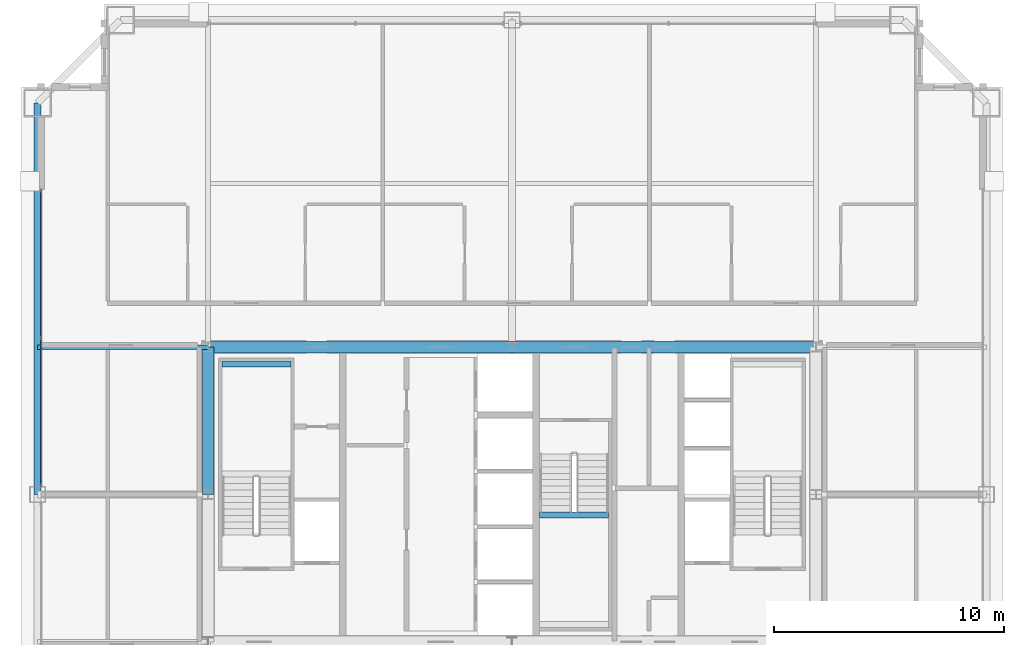
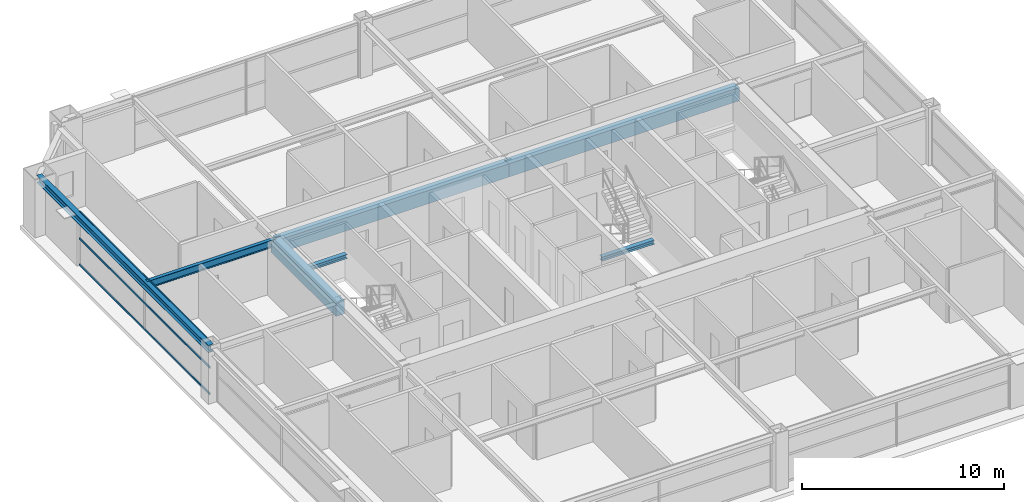
# One storey, part 14 of 36: 7 beams, 3 members, 1 element without a shape of its own.
"""IFC4 building model written with IfcOpenShell, lengths in metres."""

from ifc_helpers import new_model, si_unit, direction, frame, origin, origin_2d, place, context, subcontext, project, spatial, rectangle, hollow_rectangle, i_section, extrude, source, transform, mapped, material, layer, layer_set, material_profile, profile_set, type_object, element, aggregate, save


model = new_model("IFC4")

# Units and contexts
model_context = context("Model", 3, precision=1e-05, world=origin(), true_north=direction((0.0, 1.0)))
body_context = subcontext(model_context, "Body", "Model", "MODEL_VIEW")
ifc_project = project(units=[si_unit("LENGTHUNIT", "METRE"), si_unit("AREAUNIT", "SQUARE_METRE"), si_unit("VOLUMEUNIT", "CUBIC_METRE"), si_unit("PLANEANGLEUNIT", "RADIAN"), si_unit("MASSUNIT", "GRAM", prefix="KILO"), si_unit("THERMODYNAMICTEMPERATUREUNIT", "KELVIN"), si_unit("POWERUNIT", "WATT")], contexts=[model_context])

# Site, building, storey
site_placement = place(None, origin())
site = spatial("IfcSite", under=ifc_project, at=site_placement, CompositionType="ELEMENT")
building_placement = place(site_placement, origin())
building = spatial("IfcBuilding", under=site, at=building_placement, Name="Yuzanri Waterfront Tower", CompositionType="ELEMENT")
storey_placement = place(building_placement, frame((0.0, 0.0, 238.10009765625)))
storey = spatial("IfcBuildingStorey", under=building, at=storey_placement, Name="L63", CompositionType="ELEMENT", Elevation=238.10009765625)

# Beams
ifc_material_1 = material(Name="Concrete C50", Category="concrete")
ifc_material_profile_1 = material_profile(ifc_material_1, rectangle(XDim=0.5, YDim=0.800048828125, at=origin_2d()), Name="RC 500x800")
ifc_profile_set_1 = profile_set([ifc_material_profile_1], Name="Concrete C50")
beam_type_1 = type_object("IfcBeamType", Name="Core Coupling Lintel Concrete C50 500x800", PredefinedType="LINTEL", material=ifc_profile_set_1)
shared_shape_1 = source(origin(), body_context, "Body", "SweptSolid", [
    extrude(rectangle(XDim=0.5, YDim=0.800048828125, at=origin_2d()), origin(), (0.0, 0.0, 1.0), 13.199951171875),
])
for number, where, z_axis, x_axis, name in (
    (1, (23.800048828125, 32.199951171875, 2.8798828125), (1.0, 0.0, 0.0), (0.0, 1.0, 0.0), "L63 Core Tie Beam CN1"),
    (2, (37.0, 32.199951171875, 2.8798828125), (1.0, 0.0, 0.0), (0.0, 1.0, 0.0), "L63 Core Tie Beam CN2"),
):
    element("IfcBeam", number, at=place(storey_placement, frame(where, z_axis=z_axis, x_axis=x_axis)), inside=storey, type_object=beam_type_1, Name=name, PredefinedType="LINTEL", context=body_context, shape_type="MappedRepresentation", body=[
        mapped(shared_shape_1, transform((0.0, 0.0, 0.0), scale=1.0)),
    ])
shared_shape_2 = source(origin(), body_context, "Body", "SweptSolid", [
    extrude(rectangle(XDim=0.5, YDim=0.800048828125, at=origin_2d()), origin(), (0.0, 0.0, 1.0), 6.39990234375),
])
beam_1_placement = place(storey_placement, frame((23.800048828125, 25.800048828125, 2.8798828125), z_axis=(0.0, 1.0, 0.0), x_axis=(-1.0, 0.0, 0.0)))
element("IfcBeam", 3, at=beam_1_placement, inside=storey, type_object=beam_type_1, Name="L63 Core Tie Beam CW2", PredefinedType="LINTEL", context=body_context, shape_type="MappedRepresentation", body=[
    mapped(shared_shape_2, transform((0.0, 0.0, 0.0), scale=1.0)),
])
ifc_material_2 = material(Name="Steel Q355B", Category="steel")
ifc_material_profile_2 = material_profile(ifc_material_2, i_section(OverallWidth=0.300048828125, OverallDepth=0.43994140625, WebThickness=0.010986328125, FlangeThickness=0.01806640625, at=origin_2d()), Name="HM 440x300x11x18")
ifc_profile_set_2 = profile_set([ifc_material_profile_2], Name="Steel Q355B")
beam_type_2 = type_object("IfcBeamType", Name="Perimeter Spandrel Q355B HM 440x300", PredefinedType="SPANDREL", material=ifc_profile_set_2)
shared_shape_3 = source(origin(), body_context, "Body", "SweptSolid", [
    extrude(i_section(OverallWidth=0.300048828125, OverallDepth=0.43994140625, WebThickness=0.010986328125, FlangeThickness=0.01806640625, at=origin_2d()), origin(), (0.0, 0.0, 1.0), 17.0),
])
beam_2_placement = place(storey_placement, frame((16.39990234375, 42.800048828125, 3.059814453125), z_axis=(0.0, -1.0, 0.0), x_axis=(1.0, 0.0, 0.0)))
element("IfcBeam", 4, at=beam_2_placement, inside=storey, type_object=beam_type_2, Name="L63 Perimeter Spandrel W3-W2", PredefinedType="SPANDREL", context=body_context, shape_type="MappedRepresentation", body=[
    mapped(shared_shape_3, transform((0.0, 0.0, 0.0), scale=1.0)),
])
ifc_material_3 = material(Name="Steel Q355B", Category="steel")
ifc_material_profile_3 = material_profile(ifc_material_3, i_section(OverallWidth=0.199951171875, OverallDepth=0.449951171875, WebThickness=0.009033203125, FlangeThickness=0.013916015625, at=origin_2d()), Name="HN 450x200x9x14")
ifc_profile_set_3 = profile_set([ifc_material_profile_3], Name="Steel Q355B")
beam_type_3 = type_object("IfcBeamType", Name="Secondary Floor Beam Q355B HN 450x200", PredefinedType="BEAM", material=ifc_profile_set_3)
shared_shape_4 = source(origin(), body_context, "Body", "SweptSolid", [
    extrude(i_section(OverallWidth=0.199951171875, OverallDepth=0.449951171875, WebThickness=0.009033203125, FlangeThickness=0.013916015625, at=origin_2d()), origin(), (0.0, 0.0, 1.0), 7.400146484375),
])
beam_3_placement = place(storey_placement, frame((23.800048828125, 32.199951171875, 3.054931640625), z_axis=(-1.0, 0.0, 0.0), x_axis=(0.0, -1.0, 0.0)))
element("IfcBeam", 5, at=beam_3_placement, inside=storey, type_object=beam_type_3, Name="L63 West-North Core Line Beam", PredefinedType="BEAM", context=body_context, shape_type="MappedRepresentation", body=[
    mapped(shared_shape_4, transform((0.0, 0.0, 0.0), scale=1.0)),
])

# Curtain wall, members
ifc_material_4 = material(Name="Anodized Architectural Bronze", Category="metal")
ifc_layer = layer(ifc_material_4, 0.159912109375)
ifc_layer_set = layer_set([ifc_layer], Name="Anodized Architectural Bronze")
curtain_wall_type = type_object("IfcCurtainWallType", Name="Anodized Bronze Mid-Rise Residential Acoustic Unitized Curtain Wall 7200", PredefinedType="NOTDEFINED", material=ifc_layer_set)
curtain_wall_placement = place(storey_placement, origin())
curtain_wall = element("IfcCurtainWall", 6, at=curtain_wall_placement, inside=storey, type_object=curtain_wall_type, Name="L63 Curtain Wall CW-L63-WR", PredefinedType="NOTDEFINED")
ifc_material_5 = material(Name="Anodized Architectural Bronze", Category="metal")
ifc_material_profile_4 = material_profile(ifc_material_5, hollow_rectangle(XDim=0.06494140625, YDim=0.1201171875, WallThickness=0.00341796875, at=origin_2d()), Name="CWT 65x120")
ifc_profile_set_4 = profile_set([ifc_material_profile_4], Name="Anodized Architectural Bronze")
member_type = type_object("IfcMemberType", Name="Anodized Bronze Secondary Curtain-Wall Transom 65x120", PredefinedType="USERDEFINED", material=ifc_profile_set_4)
shared_shape_5 = source(origin(), body_context, "Body", "SweptSolid", [
    extrude(hollow_rectangle(XDim=0.06494140625, YDim=0.1201171875, WallThickness=0.00341796875, at=origin_2d()), origin(), (0.0, 0.0, 1.0), 12.900146484375),
])
member_1_placement = place(storey_placement, frame((16.550048828125, 26.14990234375, 0.0498046875), z_axis=(0.0, 1.0, 0.0), x_axis=(-1.0, 0.0, 0.0)))
member_1 = element("IfcMember", 7, at=member_1_placement, type_object=member_type, Name="CW-L63-WR Transom 1", ObjectType="TRANSOM", PredefinedType="USERDEFINED", context=body_context, shape_type="MappedRepresentation", body=[
    mapped(shared_shape_5, transform((0.0, 0.0, 0.0), scale=1.0)),
])
member_2_placement = place(storey_placement, frame((16.550048828125, 26.14990234375, 1.639892578125), z_axis=(0.0, 1.0, 0.0), x_axis=(-1.0, 0.0, 0.0)))
member_2 = element("IfcMember", 8, at=member_2_placement, type_object=member_type, Name="CW-L63-WR Transom 2", ObjectType="TRANSOM", PredefinedType="USERDEFINED", context=body_context, shape_type="MappedRepresentation", body=[
    mapped(shared_shape_5, transform((0.0, 0.0, 0.0), scale=1.0)),
])
member_3_placement = place(storey_placement, frame((16.550048828125, 26.14990234375, 3.22998046875), z_axis=(0.0, 1.0, 0.0), x_axis=(-1.0, 0.0, 0.0)))
member_3 = element("IfcMember", 9, at=member_3_placement, type_object=member_type, Name="CW-L63-WR Transom 3", ObjectType="TRANSOM", PredefinedType="USERDEFINED", context=body_context, shape_type="MappedRepresentation", body=[
    mapped(shared_shape_5, transform((0.0, 0.0, 0.0), scale=1.0)),
])
aggregate(curtain_wall, [member_1, member_2, member_3])

# Beams
ifc_material_6 = material(Name="Steel Q355B", Category="steel")
ifc_material_profile_5 = material_profile(ifc_material_6, i_section(OverallWidth=0.25, OverallDepth=0.25, WebThickness=0.009033203125, FlangeThickness=0.013916015625, at=origin_2d()), Name="HW 250x250x9x14")
ifc_profile_set_5 = profile_set([ifc_material_profile_5], Name="Steel Q355B")
beam_type_4 = type_object("IfcBeamType", Name="Stair Landing Support Beam Q355B HW 250x250", PredefinedType="BEAM", material=ifc_profile_set_5)
shared_shape_6 = source(origin(), body_context, "Body", "SweptSolid", [
    extrude(i_section(OverallWidth=0.25, OverallDepth=0.25, WebThickness=0.009033203125, FlangeThickness=0.013916015625, at=origin_2d()), origin(), (0.0, 0.0, 1.0), 3.0),
])
for number, where, z_axis, x_axis, name in (
    (10, (24.39990234375, 31.449951171875, 1.4248046875), (1.0, 0.0, 0.0), (0.0, 1.0, 0.0), "L63 Stair Landing Support Beam ST-01-L63-L1-2"),
    (11, (38.199951171875, 24.909912109375, 1.4248046875), (1.0, 0.0, 0.0), (0.0, 1.0, 0.0), "L63 Stair Landing Support Beam ST-03-L63-L1-2"),
):
    element("IfcBeam", number, at=place(storey_placement, frame(where, z_axis=z_axis, x_axis=x_axis)), inside=storey, type_object=beam_type_4, Name=name, PredefinedType="BEAM", context=body_context, shape_type="MappedRepresentation", body=[
        mapped(shared_shape_6, transform((0.0, 0.0, 0.0), scale=1.0)),
    ])

save(model, "model.ifc")
